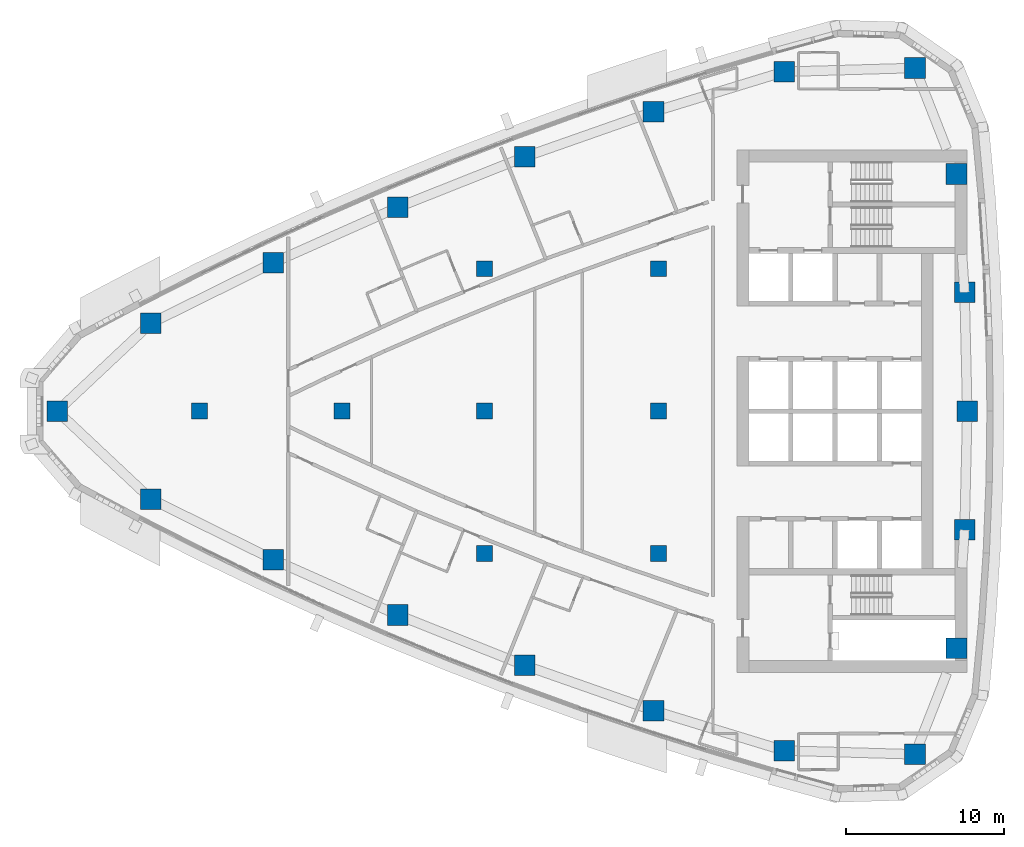
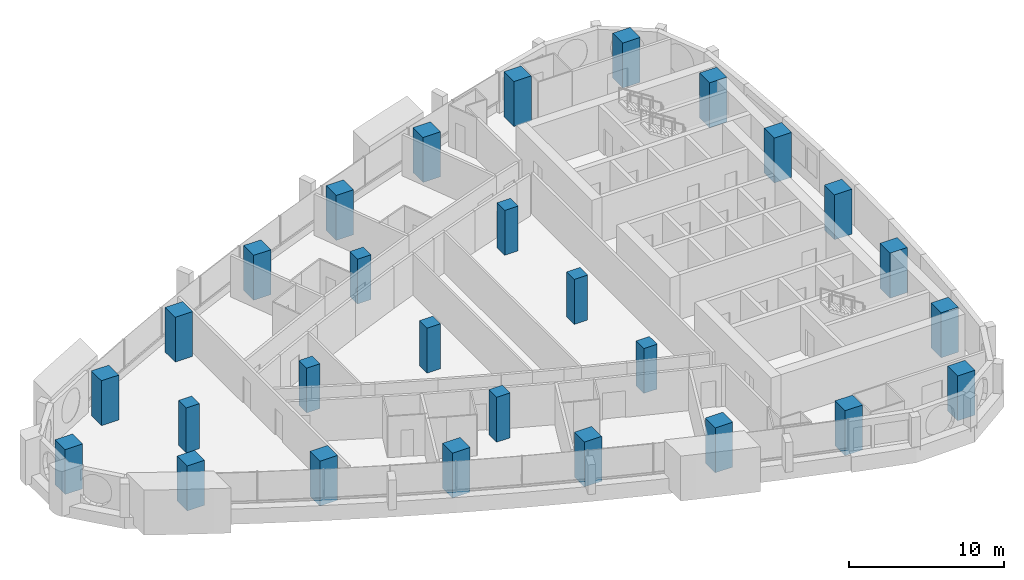
# One storey, part 1 of 17: 28 columns.
"""IFC4 building model written with IfcOpenShell, lengths in metres."""

from ifc_helpers import new_model, si_unit, direction, frame, origin, origin_2d, place, context, subcontext, project, spatial, rectangle, extrude, material, material_profile, profile_set, type_object, element, save


model = new_model("IFC4")

# Units and contexts
model_context = context("Model", 3, precision=1e-05, world=origin(), true_north=direction((0.0, 1.0)))
body_context = subcontext(model_context, "Body", "Model", "MODEL_VIEW")
ifc_project = project(units=[si_unit("LENGTHUNIT", "METRE"), si_unit("AREAUNIT", "SQUARE_METRE"), si_unit("VOLUMEUNIT", "CUBIC_METRE"), si_unit("PLANEANGLEUNIT", "RADIAN"), si_unit("MASSUNIT", "GRAM", prefix="KILO")], contexts=[model_context])

# Site, building, storey
site_placement = place(None, origin())
site = spatial("IfcSite", under=ifc_project, at=site_placement, CompositionType="ELEMENT")
building_placement = place(site_placement, origin())
building = spatial("IfcBuilding", under=site, at=building_placement, Name="Ostrand Prow Hotel Tower", CompositionType="ELEMENT")
storey_placement = place(building_placement, frame((0.0, 0.0, 196.800048828125)))
storey = spatial("IfcBuildingStorey", under=building, at=storey_placement, Name="L49", CompositionType="ELEMENT", Elevation=196.800048828125)

# Columns
ifc_material_1 = material(Name="Concrete C60/75", Category="concrete")
ifc_material_profile_1 = material_profile(ifc_material_1, rectangle(XDim=1.0, YDim=1.0, at=origin_2d()), Name="RC 1000x1000")
ifc_profile_set_1 = profile_set([ifc_material_profile_1], Name="Concrete C60/75")
column_type_1 = type_object("IfcColumnType", Name="Interior column 1000x1000 C60/75", PredefinedType="COLUMN", material=ifc_profile_set_1)
for number, where, z_axis, x_axis, name in (
    (1, (16.0, 0.0, 0.0), (0.0, 0.0, 1.0), (1.0, 0.0, 0.0), "Interior column 16C0"),
    (2, (25.0, 0.0, 0.0), (0.0, 0.0, 1.0), (1.0, 0.0, 0.0), "Interior column 25C0"),
    (3, (34.0, -9.0, 0.0), (0.0, 0.0, 1.0), (1.0, 0.0, 0.0), "Interior column 34S9"),
    (4, (34.0, 0.0, 0.0), (0.0, 0.0, 1.0), (1.0, 0.0, 0.0), "Interior column 34C0"),
    (5, (34.0, 9.0, 0.0), (0.0, 0.0, 1.0), (1.0, 0.0, 0.0), "Interior column 34N9"),
    (6, (45.0, -9.0, 0.0), (0.0, 0.0, 1.0), (1.0, 0.0, 0.0), "Interior column 45S9"),
    (7, (45.0, 0.0, 0.0), (0.0, 0.0, 1.0), (1.0, 0.0, 0.0), "Interior column 45C0"),
    (8, (45.0, 9.0, 0.0), (0.0, 0.0, 1.0), (1.0, 0.0, 0.0), "Interior column 45N9"),
):
    element("IfcColumn", number, at=place(storey_placement, frame(where, z_axis=z_axis, x_axis=x_axis)), inside=storey, type_object=column_type_1, Name=name, PredefinedType="COLUMN", context=body_context, shape_type="SweptSolid", body=[
        extrude(rectangle(XDim=1.0, YDim=1.0, at=origin_2d()), origin(), (0.0, 0.0, 1.0), 3.550048828125),
    ])
ifc_material_2 = material(Name="Concrete C60/75", Category="concrete")
ifc_material_profile_2 = material_profile(ifc_material_2, rectangle(XDim=1.300048828125, YDim=1.300048828125, at=origin_2d()), Name="RC 1300x1300")
ifc_profile_set_2 = profile_set([ifc_material_profile_2], Name="Concrete C60/75")
column_type_2 = type_object("IfcColumnType", Name="Stone-faced mega column 1300x1300 C60/75", PredefinedType="COLUMN", material=ifc_profile_set_2)
for number, where, z_axis, x_axis, name in (
    (9, (7.01708984375, 0.0, 0.0), (0.0, 0.0, 1.0), (1.0, 0.0, 0.0), "Mega column P"),
    (10, (12.9287109375, -5.551513671875, 0.0), (0.0, 0.0, 1.0), (1.0, 0.0, 0.0), "Mega column S1"),
    (11, (20.656982421875, -9.373291015625, 0.0), (0.0, 0.0, 1.0), (1.0, 0.0, 0.0), "Mega column S2"),
    (12, (28.5341796875, -12.878173828125, 0.0), (0.0, 0.0, 1.0), (1.0, 0.0, 0.0), "Mega column S3"),
    (13, (36.547119140625, -16.060791015625, 0.0), (0.0, 0.0, 1.0), (1.0, 0.0, 0.0), "Mega column S4"),
    (14, (44.6826171875, -18.91552734375, 0.0), (0.0, 0.0, 1.0), (1.0, 0.0, 0.0), "Mega column S5"),
    (15, (52.92724609375, -21.43798828125, 0.0), (0.0, 0.0, 1.0), (1.0, 0.0, 0.0), "Mega column S6"),
    (16, (61.198486328125, -21.678955078125, 0.0), (0.0, 0.0, 1.0), (1.0, 0.0, 0.0), "Mega column SE"),
    (17, (63.822021484375, -14.983154296875, 0.0), (0.0, 0.0, 1.0), (1.0, 0.0, 0.0), "Mega column B1"),
    (18, (64.330322265625, -7.499267578125, 0.0), (0.0, 0.0, 1.0), (1.0, 0.0, 0.0), "Mega column B2"),
    (19, (64.5, 0.0, 0.0), (0.0, 0.0, 1.0), (1.0, 0.0, 0.0), "Mega column B3"),
    (20, (64.330322265625, 7.499267578125, 0.0), (0.0, 0.0, 1.0), (1.0, 0.0, 0.0), "Mega column B4"),
    (21, (63.822021484375, 14.983154296875, 0.0), (0.0, 0.0, 1.0), (1.0, 0.0, 0.0), "Mega column B5"),
    (22, (61.198486328125, 21.678955078125, 0.0), (0.0, 0.0, 1.0), (1.0, 0.0, 0.0), "Mega column NE"),
    (23, (52.92724609375, 21.43798828125, 0.0), (0.0, 0.0, 1.0), (1.0, 0.0, 0.0), "Mega column N1"),
    (24, (44.6826171875, 18.91552734375, 0.0), (0.0, 0.0, 1.0), (1.0, 0.0, 0.0), "Mega column N2"),
    (25, (36.547119140625, 16.060791015625, 0.0), (0.0, 0.0, 1.0), (1.0, 0.0, 0.0), "Mega column N3"),
    (26, (28.5341796875, 12.878173828125, 0.0), (0.0, 0.0, 1.0), (1.0, 0.0, 0.0), "Mega column N4"),
    (27, (20.656982421875, 9.373291015625, 0.0), (0.0, 0.0, 1.0), (1.0, 0.0, 0.0), "Mega column N5"),
    (28, (12.9287109375, 5.551513671875, 0.0), (0.0, 0.0, 1.0), (1.0, 0.0, 0.0), "Mega column N6"),
):
    element("IfcColumn", number, at=place(storey_placement, frame(where, z_axis=z_axis, x_axis=x_axis)), inside=storey, type_object=column_type_2, Name=name, PredefinedType="COLUMN", context=body_context, shape_type="SweptSolid", body=[
        extrude(rectangle(XDim=1.300048828125, YDim=1.300048828125, at=origin_2d()), origin(), (0.0, 0.0, 1.0), 3.550048828125),
    ])

save(model, "model.ifc")
